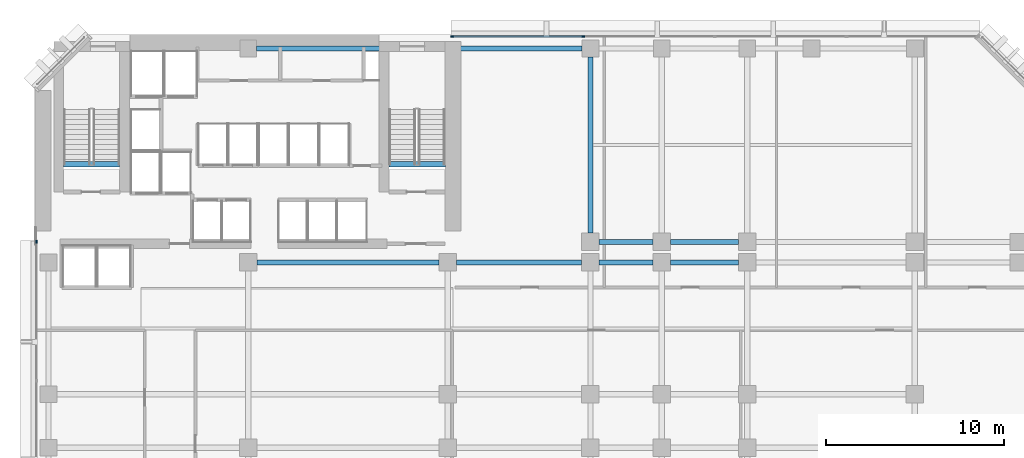
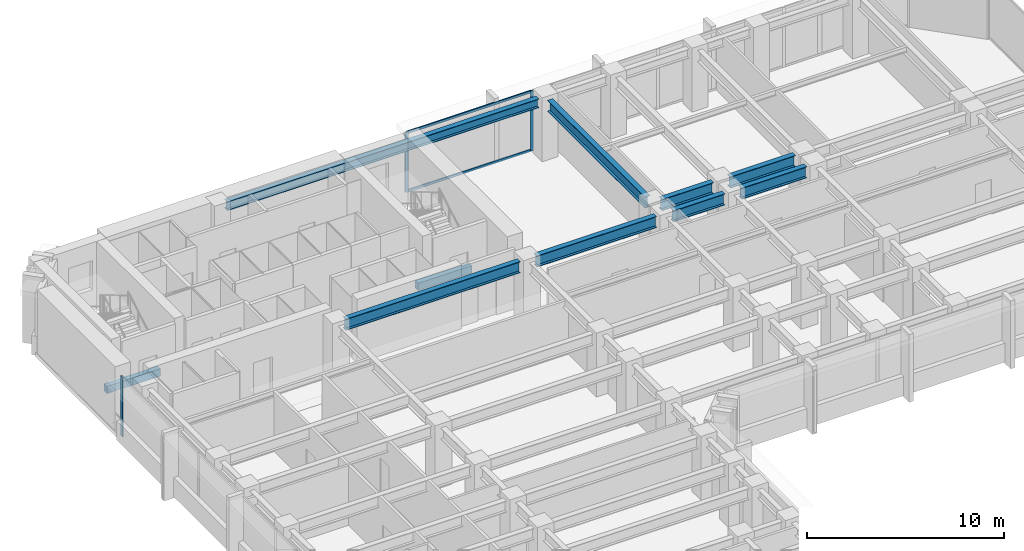
# One storey, part 4 of 13: 10 beams, 5 members, 2 elements without a shape of their own.
"""IFC4 building model written with IfcOpenShell, lengths in metres."""

from ifc_helpers import new_model, si_unit, direction, frame, origin, origin_2d, place, context, subcontext, project, spatial, rectangle, i_section, extrude, material, layer, layer_set, material_profile, profile_set, type_object, element, aggregate, save


model = new_model("IFC4")

# Units and contexts
model_context = context("Model", 3, precision=1e-05, world=origin(), true_north=direction((0.0, 1.0)))
body_context = subcontext(model_context, "Body", "Model", "MODEL_VIEW")
ifc_project = project(units=[si_unit("LENGTHUNIT", "METRE"), si_unit("AREAUNIT", "SQUARE_METRE"), si_unit("VOLUMEUNIT", "CUBIC_METRE"), si_unit("PLANEANGLEUNIT", "RADIAN"), si_unit("MASSUNIT", "GRAM", prefix="KILO")], contexts=[model_context])

# Site, building, storey
site_placement = place(None, origin())
site = spatial("IfcSite", under=ifc_project, at=site_placement, CompositionType="ELEMENT")
building_placement = place(site_placement, origin())
building = spatial("IfcBuilding", under=site, at=building_placement, Name="Kefirva Bronze Tower", CompositionType="ELEMENT")
storey_placement = place(building_placement, frame((0.0, 0.0, 46.199951171875)))
storey = spatial("IfcBuildingStorey", under=building, at=storey_placement, Name="L10", CompositionType="ELEMENT", Elevation=46.199951171875)

# Curtain wall, members
ifc_material_1 = material(Name="Bronze anodised aluminium", Category="aluminium")
ifc_layer = layer(ifc_material_1, 0.199951171875, Name="Bronze anodised aluminium")
ifc_layer_set = layer_set([ifc_layer], Name="Bronze anodised aluminium")
curtain_wall_type = type_object("IfcCurtainWallType", Name="Unitised Bronze Ribbon Curtain Wall Zone 1", PredefinedType="USERDEFINED", material=ifc_layer_set)
curtain_wall_1_placement = place(storey_placement, origin())
curtain_wall_1 = element("IfcCurtainWall", 1, at=curtain_wall_1_placement, inside=storey, type_object=curtain_wall_type, Name="L10 Curtain Wall 4", ObjectType="UNITISED CURTAIN WALL", PredefinedType="USERDEFINED")
ifc_material_profile_1 = material_profile(ifc_material_1, rectangle(XDim=0.074951171875, YDim=0.179931640625, at=origin_2d()), Name="ALU 75x180")
ifc_profile_set_1 = profile_set([ifc_material_profile_1], Name="Bronze anodised aluminium")
member_type_1 = type_object("IfcMemberType", Name="Bronze Mullion 75x180", PredefinedType="MULLION", material=ifc_profile_set_1)
member_1_placement = place(storey_placement, frame((30.7900390625, 45.8798828125, 0.0), z_axis=(0.0, 0.0, 1.0), x_axis=(0.0, -1.0, 0.0)))
member_1 = element("IfcMember", 2, at=member_1_placement, type_object=member_type_1, Name="CW-01 mullion 4", PredefinedType="MULLION", context=body_context, shape_type="SweptSolid", body=[
    extrude(rectangle(XDim=0.074951171875, YDim=0.179931640625, at=origin_2d()), origin(), (0.0, 0.0, 1.0), 3.7099609375),
])
member_2_placement = place(storey_placement, frame((23.4423828125, 45.8798828125, 0.0), z_axis=(0.0, 0.0, 1.0), x_axis=(0.0, -1.0, 0.0)))
member_2 = element("IfcMember", 3, at=member_2_placement, type_object=member_type_1, Name="CW-01 mullion 5", PredefinedType="MULLION", context=body_context, shape_type="SweptSolid", body=[
    extrude(rectangle(XDim=0.074951171875, YDim=0.179931640625, at=origin_2d()), origin(), (0.0, 0.0, 1.0), 3.7099609375),
])

# Curtain wall, member
curtain_wall_2_placement = place(storey_placement, origin())
curtain_wall_2 = element("IfcCurtainWall", 4, at=curtain_wall_2_placement, inside=storey, type_object=curtain_wall_type, Name="L10 Curtain Wall 5", ObjectType="UNITISED CURTAIN WALL", PredefinedType="USERDEFINED")
member_3_placement = place(storey_placement, frame((0.1201171875, 34.357421875, 0.0), z_axis=(0.0, 0.0, 1.0), x_axis=(1.0, 0.0, 0.0)))
member_3 = element("IfcMember", 5, at=member_3_placement, type_object=member_type_1, Name="CW-01 mullion 1", PredefinedType="MULLION", context=body_context, shape_type="SweptSolid", body=[
    extrude(rectangle(XDim=0.074951171875, YDim=0.179931640625, at=origin_2d()), origin(), (0.0, 0.0, 1.0), 3.7099609375),
])
aggregate(curtain_wall_2, [member_3])

# Member
ifc_material_profile_2 = material_profile(ifc_material_1, rectangle(XDim=0.074951171875, YDim=0.14990234375, at=origin_2d()), Name="ALU 75x150")
ifc_profile_set_2 = profile_set([ifc_material_profile_2], Name="Bronze anodised aluminium")
member_type_2 = type_object("IfcMemberType", Name="Bronze Transom 75x150", PredefinedType="USERDEFINED", material=ifc_profile_set_2)
member_4_placement = place(storey_placement, frame((30.75244140625, 45.8798828125, 0.03759765625), z_axis=(-1.0, 0.0, 0.0), x_axis=(0.0, -1.0, 0.0)))
member_4 = element("IfcMember", 6, at=member_4_placement, type_object=member_type_2, Name="CW-01 transom 4.1", ObjectType="TRANSOM", PredefinedType="USERDEFINED", context=body_context, shape_type="SweptSolid", body=[
    extrude(rectangle(XDim=0.074951171875, YDim=0.14990234375, at=origin_2d()), origin(), (0.0, 0.0, 1.0), 7.2724609375),
])

member_5_placement = place(storey_placement, frame((30.75244140625, 45.8798828125, 3.672607421875), z_axis=(-1.0, 0.0, 0.0), x_axis=(0.0, -1.0, 0.0)))
member_5 = element("IfcMember", 7, at=member_5_placement, type_object=member_type_2, Name="CW-01 transom 4.2", ObjectType="TRANSOM", PredefinedType="USERDEFINED", context=body_context, shape_type="SweptSolid", body=[
    extrude(rectangle(XDim=0.074951171875, YDim=0.14990234375, at=origin_2d()), origin(), (0.0, 0.0, 1.0), 7.2724609375),
])

aggregate(curtain_wall_1, [member_1, member_2, member_4, member_5])

# Beams
ifc_material_2 = material(Name="Concrete C50/60", Category="concrete")
ifc_material_profile_3 = material_profile(ifc_material_2, rectangle(XDim=0.300048828125, YDim=0.449951171875, at=origin_2d()), Name="RC 300x450")
ifc_profile_set_3 = profile_set([ifc_material_profile_3], Name="Concrete C50/60")
beam_type_1 = type_object("IfcBeamType", Name="RC Stair Trimmer Beam 300x450", PredefinedType="BEAM", material=ifc_profile_set_3)
beam_1_placement = place(storey_placement, frame((1.64501953125, 38.699951171875, -0.224853515625), z_axis=(1.0, 0.0, 0.0), x_axis=(0.0, 1.0, 0.0)))
element("IfcBeam", 8, at=beam_1_placement, inside=storey, type_object=beam_type_1, Name="L10 Stair 1 Landing Trimmer Beam", PredefinedType="BEAM", context=body_context, shape_type="SweptSolid", body=[
    extrude(rectangle(XDim=0.300048828125, YDim=0.449951171875, at=origin_2d()), origin(), (0.0, 0.0, 1.0), 3.14990234375),
])
beam_2_placement = place(storey_placement, frame((19.89501953125, 38.699951171875, -0.224853515625), z_axis=(1.0, 0.0, 0.0), x_axis=(0.0, 1.0, 0.0)))
element("IfcBeam", 9, at=beam_2_placement, inside=storey, type_object=beam_type_1, Name="L10 Stair 2 Landing Trimmer Beam", PredefinedType="BEAM", context=body_context, shape_type="SweptSolid", body=[
    extrude(rectangle(XDim=0.300048828125, YDim=0.449951171875, at=origin_2d()), origin(), (0.0, 0.0, 1.0), 3.159912109375),
])
ifc_material_3 = material(Name="Steel S355", Category="steel")
ifc_material_profile_4 = material_profile(ifc_material_3, i_section(OverallWidth=0.300048828125, OverallDepth=0.699951171875, WebThickness=0.01708984375, FlangeThickness=0.031982421875, at=origin_2d()), Name="HEB 700")
ifc_profile_set_4 = profile_set([ifc_material_profile_4], Name="Steel S355")
beam_type_2 = type_object("IfcBeamType", Name="Steel Girder HEB 700", PredefinedType="USERDEFINED", material=ifc_profile_set_4)
beam_3_placement = place(storey_placement, frame((12.489990234375, 33.199951171875, 3.360107421875), z_axis=(1.0, 0.0, 0.0), x_axis=(0.0, 1.0, 0.0)))
element("IfcBeam", 10, at=beam_3_placement, inside=storey, type_object=beam_type_2, Name="L10 BM-L10-EW-12-332", ObjectType="GIRDER", PredefinedType="USERDEFINED", context=body_context, shape_type="SweptSolid", body=[
    extrude(i_section(OverallWidth=0.300048828125, OverallDepth=0.699951171875, WebThickness=0.01708984375, FlangeThickness=0.031982421875, at=origin_2d()), origin(), (0.0, 0.0, 1.0), 10.219970703125),
])
beam_4_placement = place(storey_placement, frame((23.68994140625, 33.199951171875, 3.360107421875), z_axis=(1.0, 0.0, 0.0), x_axis=(0.0, 1.0, 0.0)))
element("IfcBeam", 11, at=beam_4_placement, inside=storey, type_object=beam_type_2, Name="L10 BM-L10-EW-23-332", ObjectType="GIRDER", PredefinedType="USERDEFINED", context=body_context, shape_type="SweptSolid", body=[
    extrude(i_section(OverallWidth=0.300048828125, OverallDepth=0.699951171875, WebThickness=0.01708984375, FlangeThickness=0.031982421875, at=origin_2d()), origin(), (0.0, 0.0, 1.0), 7.02001953125),
])
beam_5_placement = place(storey_placement, frame((31.68994140625, 33.199951171875, 3.360107421875), z_axis=(1.0, 0.0, 0.0), x_axis=(0.0, 1.0, 0.0)))
element("IfcBeam", 12, at=beam_5_placement, inside=storey, type_object=beam_type_2, Name="L10 BM-L10-EW-31-332", ObjectType="GIRDER", PredefinedType="USERDEFINED", context=body_context, shape_type="SweptSolid", body=[
    extrude(i_section(OverallWidth=0.300048828125, OverallDepth=0.699951171875, WebThickness=0.01708984375, FlangeThickness=0.031982421875, at=origin_2d()), origin(), (0.0, 0.0, 1.0), 3.02001953125),
])
beam_6_placement = place(storey_placement, frame((35.68994140625, 33.199951171875, 3.360107421875), z_axis=(1.0, 0.0, 0.0), x_axis=(0.0, 1.0, 0.0)))
element("IfcBeam", 13, at=beam_6_placement, inside=storey, type_object=beam_type_2, Name="L10 BM-L10-EW-35-332", ObjectType="GIRDER", PredefinedType="USERDEFINED", context=body_context, shape_type="SweptSolid", body=[
    extrude(i_section(OverallWidth=0.300048828125, OverallDepth=0.699951171875, WebThickness=0.01708984375, FlangeThickness=0.031982421875, at=origin_2d()), origin(), (0.0, 0.0, 1.0), 3.820068359375),
])
beam_7_placement = place(storey_placement, frame((31.68994140625, 34.35009765625, 3.360107421875), z_axis=(1.0, 0.0, 0.0), x_axis=(0.0, 1.0, 0.0)))
element("IfcBeam", 14, at=beam_7_placement, inside=storey, type_object=beam_type_2, Name="L10 BM-L10-EW-31-344", ObjectType="GIRDER", PredefinedType="USERDEFINED", context=body_context, shape_type="SweptSolid", body=[
    extrude(i_section(OverallWidth=0.300048828125, OverallDepth=0.699951171875, WebThickness=0.01708984375, FlangeThickness=0.031982421875, at=origin_2d()), origin(), (0.0, 0.0, 1.0), 3.02001953125),
])
beam_8_placement = place(storey_placement, frame((35.68994140625, 34.35009765625, 3.360107421875), z_axis=(1.0, 0.0, 0.0), x_axis=(0.0, 1.0, 0.0)))
element("IfcBeam", 15, at=beam_8_placement, inside=storey, type_object=beam_type_2, Name="L10 BM-L10-EW-35-344", ObjectType="GIRDER", PredefinedType="USERDEFINED", context=body_context, shape_type="SweptSolid", body=[
    extrude(i_section(OverallWidth=0.300048828125, OverallDepth=0.699951171875, WebThickness=0.01708984375, FlangeThickness=0.031982421875, at=origin_2d()), origin(), (0.0, 0.0, 1.0), 3.820068359375),
])
beam_9_placement = place(storey_placement, frame((31.199951171875, 34.840087890625, 3.360107421875), z_axis=(0.0, 1.0, 0.0), x_axis=(-1.0, 0.0, 0.0)))
element("IfcBeam", 16, at=beam_9_placement, inside=storey, type_object=beam_type_2, Name="L10 BM-L10-NS-312-34", ObjectType="GIRDER", PredefinedType="USERDEFINED", context=body_context, shape_type="SweptSolid", body=[
    extrude(i_section(OverallWidth=0.300048828125, OverallDepth=0.699951171875, WebThickness=0.01708984375, FlangeThickness=0.031982421875, at=origin_2d()), origin(), (0.0, 0.0, 1.0), 9.889892578125),
])
ifc_material_profile_5 = material_profile(ifc_material_3, i_section(OverallWidth=0.300048828125, OverallDepth=0.550048828125, WebThickness=0.014892578125, FlangeThickness=0.029052734375, at=origin_2d()), Name="HEB 550")
ifc_profile_set_5 = profile_set([ifc_material_profile_5], Name="Steel S355")
beam_type_3 = type_object("IfcBeamType", Name="Steel Spandrel HEB 550 Ext", PredefinedType="SPANDREL", material=ifc_profile_set_5)
beam_10_placement = place(storey_placement, frame((12.469970703125, 45.199951171875, 3.43505859375), z_axis=(1.0, 0.0, 0.0), x_axis=(0.0, 1.0, 0.0)))
element("IfcBeam", 17, at=beam_10_placement, inside=storey, type_object=beam_type_3, Name="L10 BM-L10-EW-12-452", PredefinedType="SPANDREL", context=body_context, shape_type="SweptSolid", body=[
    extrude(i_section(OverallWidth=0.300048828125, OverallDepth=0.550048828125, WebThickness=0.014892578125, FlangeThickness=0.029052734375, at=origin_2d()), origin(), (0.0, 0.0, 1.0), 18.260009765625),
])

save(model, "model.ifc")
